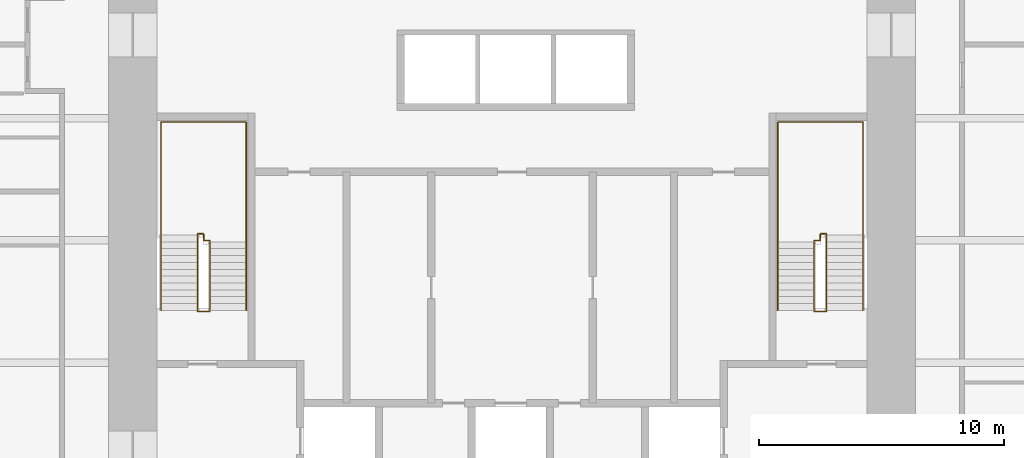
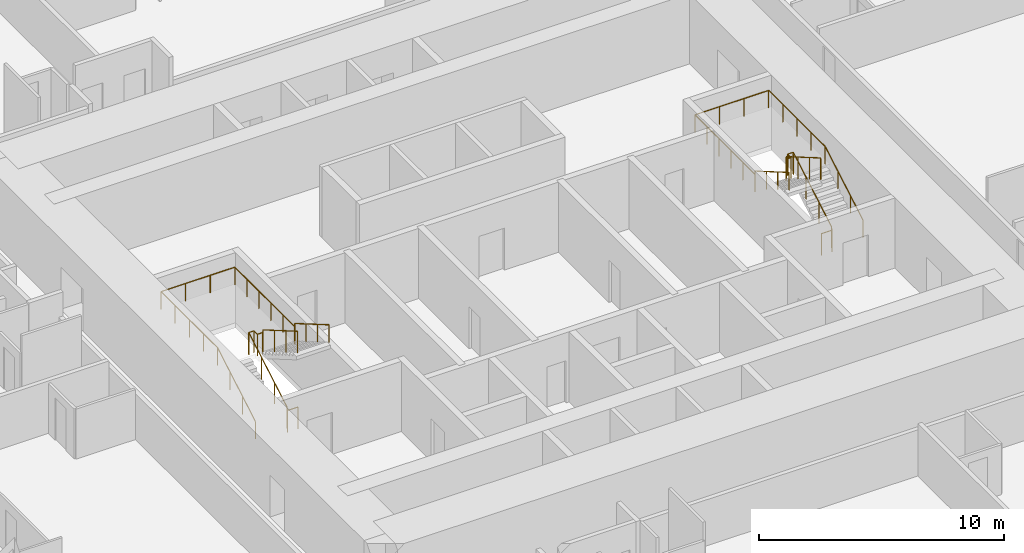
# One storey, part 17 of 17: 4 railings.
"""IFC4 building model written with IfcOpenShell, lengths in metres."""

from ifc_helpers import new_model, si_unit, direction, frame, origin, origin_2d, place, context, subcontext, project, spatial, circle, extrude, material, type_object, element, save


model = new_model("IFC4")

# Units and contexts
model_context = context("Model", 3, precision=1e-05, world=origin(), true_north=direction((0.0, 1.0)))
body_context = subcontext(model_context, "Body", "Model", "MODEL_VIEW")
ifc_project = project(units=[si_unit("LENGTHUNIT", "METRE"), si_unit("AREAUNIT", "SQUARE_METRE"), si_unit("VOLUMEUNIT", "CUBIC_METRE"), si_unit("PLANEANGLEUNIT", "RADIAN"), si_unit("MASSUNIT", "GRAM", prefix="KILO")], contexts=[model_context])

# Site, building, storey
site_placement = place(None, origin())
site = spatial("IfcSite", under=ifc_project, at=site_placement, CompositionType="ELEMENT")
building_placement = place(site_placement, origin())
building = spatial("IfcBuilding", under=site, at=building_placement, Name="Khuree Lantern Residences", CompositionType="ELEMENT")
storey_placement = place(building_placement, frame((0.0, 0.0, 92.25)))
storey = spatial("IfcBuildingStorey", under=building, at=storey_placement, Name="L23", CompositionType="ELEMENT", Elevation=92.25)

# Railings
ifc_material = material(Name="Steel S355", Category="steel")
railing_type_1 = type_object("IfcRailingType", Name="STAIR GUARD G1 1100", PredefinedType="GUARDRAIL", material=ifc_material)
railing_1_placement = place(storey_placement, frame((-12.35009765625, -2.909912109375, 0.0)))
element("IfcRailing", 1, at=railing_1_placement, inside=storey, type_object=railing_type_1, Name="Stair ST1 guard", PredefinedType="GUARDRAIL", context=body_context, shape_type="SweptSolid", body=[
    extrude(circle(Radius=0.02392578125, at=origin_2d()), frame((0.0, 0.0, 1.076171875), z_axis=(-1.0, 0.0, 0.0), x_axis=(0.0, -1.0, 0.0)), (0.0, 0.0, 1.0), 0.5),
    extrude(circle(Radius=0.02392578125, at=origin_2d()), frame((-0.5, 0.0, 1.076171875), z_axis=(0.0, 0.292073035251, 0.95639601739), x_axis=(-1.0, 0.0, 0.0)), (0.0, 0.0, 1.0), 0.17041015625),
    extrude(circle(Radius=0.02392578125, at=origin_2d()), frame((-0.5, 0.0498046875, 1.2392578125), z_axis=(0.0, 0.864176135923, 0.503189433615), x_axis=(-1.0, 0.0, 0.0)), (0.0, 0.0, 1.0), 3.564208984375),
    extrude(circle(Radius=0.02392578125, at=origin_2d()), frame((-0.5, 3.1298828125, 3.03271484375), z_axis=(0.0, 1.0, 0.0), x_axis=(-1.0, 0.0, 0.0)), (0.0, 0.0, 1.0), 0.050048828125),
    extrude(circle(Radius=0.02392578125, at=origin_2d()), frame((-0.5, 3.179931640625, 3.03271484375), z_axis=(1.0, 0.0, 0.0), x_axis=(0.0, 1.0, 0.0)), (0.0, 0.0, 1.0), 0.25),
    extrude(circle(Radius=0.02392578125, at=origin_2d()), frame((-0.25, 3.179931640625, 3.03271484375), z_axis=(0.0, -1.0, 0.0), x_axis=(1.0, 0.0, 0.0)), (0.0, 0.0, 1.0), 0.280029296875),
    extrude(circle(Radius=0.02392578125, at=origin_2d()), frame((-0.25, 2.89990234375, 3.03271484375), z_axis=(1.0, 0.0, 0.0), x_axis=(0.0, 1.0, 0.0)), (0.0, 0.0, 1.0), 0.25),
    extrude(circle(Radius=0.02392578125, at=origin_2d()), frame((0.0, 2.89990234375, 3.03271484375), z_axis=(0.0, -0.293381807449, 0.955995353053), x_axis=(1.0, 0.0, 0.0)), (0.0, 0.0, 1.0), 0.170654296875),
    extrude(circle(Radius=0.02392578125, at=origin_2d()), frame((0.0, 2.849853515625, 3.19580078125), z_axis=(0.0, -0.864180358799, 0.503182181189), x_axis=(1.0, 0.0, 0.0)), (0.0, 0.0, 1.0), 3.240234375),
    extrude(circle(Radius=0.02099609375, at=origin_2d()), origin(), (0.0, 0.0, 1.0), 1.052001953125),
    extrude(circle(Radius=0.02099609375, at=origin_2d()), frame((-0.5, 0.0, 0.0)), (0.0, 0.0, 1.0), 1.052001953125),
    extrude(circle(Radius=0.02099609375, at=origin_2d()), frame((-0.5, 0.0498046875, 0.1630859375)), (0.0, 0.0, 1.0), 1.052001953125),
    extrude(circle(Radius=0.02099609375, at=origin_2d()), frame((-0.5, 1.076416015625, 0.760986328125)), (0.0, 0.0, 1.0), 1.052001953125),
    extrude(circle(Radius=0.02099609375, at=origin_2d()), frame((-0.5, 2.103271484375, 1.358642578125)), (0.0, 0.0, 1.0), 1.052001953125),
    extrude(circle(Radius=0.02099609375, at=origin_2d()), frame((-0.5, 3.1298828125, 1.95654296875)), (0.0, 0.0, 1.0), 1.052001953125),
    extrude(circle(Radius=0.02099609375, at=origin_2d()), frame((-0.5, 3.179931640625, 1.95654296875)), (0.0, 0.0, 1.0), 1.052001953125),
    extrude(circle(Radius=0.02099609375, at=origin_2d()), frame((-0.25, 3.179931640625, 1.95654296875)), (0.0, 0.0, 1.0), 1.052001953125),
    extrude(circle(Radius=0.02099609375, at=origin_2d()), frame((-0.25, 2.89990234375, 1.95654296875)), (0.0, 0.0, 1.0), 1.052001953125),
    extrude(circle(Radius=0.02099609375, at=origin_2d()), frame((0.0, 2.89990234375, 1.95654296875)), (0.0, 0.0, 1.0), 1.052001953125),
    extrude(circle(Radius=0.02099609375, at=origin_2d()), frame((0.0, 2.849853515625, 2.11962890625)), (0.0, 0.0, 1.0), 1.052001953125),
    extrude(circle(Radius=0.02099609375, at=origin_2d()), frame((0.0, 1.91650390625, 2.6630859375)), (0.0, 0.0, 1.0), 1.052001953125),
    extrude(circle(Radius=0.02099609375, at=origin_2d()), frame((0.0, 0.983154296875, 3.20654296875)), (0.0, 0.0, 1.0), 1.052001953125),
    extrude(circle(Radius=0.02099609375, at=origin_2d()), frame((0.0, 0.0498046875, 3.75)), (0.0, 0.0, 1.0), 1.052001953125),
])
railing_2_placement = place(storey_placement, frame((12.35009765625, -2.909912109375, 0.0)))
element("IfcRailing", 2, at=railing_2_placement, inside=storey, type_object=railing_type_1, Name="Stair ST2 guard", PredefinedType="GUARDRAIL", context=body_context, shape_type="SweptSolid", body=[
    extrude(circle(Radius=0.02392578125, at=origin_2d()), frame((0.0, 0.0, 1.076171875), z_axis=(1.0, 0.0, 0.0), x_axis=(0.0, 1.0, 0.0)), (0.0, 0.0, 1.0), 0.5),
    extrude(circle(Radius=0.02392578125, at=origin_2d()), frame((0.5, 0.0, 1.076171875), z_axis=(0.0, 0.292073035251, 0.95639601739), x_axis=(-1.0, 0.0, 0.0)), (0.0, 0.0, 1.0), 0.17041015625),
    extrude(circle(Radius=0.02392578125, at=origin_2d()), frame((0.5, 0.0498046875, 1.2392578125), z_axis=(0.0, 0.864176135923, 0.503189433615), x_axis=(-1.0, 0.0, 0.0)), (0.0, 0.0, 1.0), 3.564208984375),
    extrude(circle(Radius=0.02392578125, at=origin_2d()), frame((0.5, 3.1298828125, 3.03271484375), z_axis=(0.0, 1.0, 0.0), x_axis=(-1.0, 0.0, 0.0)), (0.0, 0.0, 1.0), 0.050048828125),
    extrude(circle(Radius=0.02392578125, at=origin_2d()), frame((0.5, 3.179931640625, 3.03271484375), z_axis=(-1.0, 0.0, 0.0), x_axis=(0.0, -1.0, 0.0)), (0.0, 0.0, 1.0), 0.25),
    extrude(circle(Radius=0.02392578125, at=origin_2d()), frame((0.25, 3.179931640625, 3.03271484375), z_axis=(0.0, -1.0, 0.0), x_axis=(1.0, 0.0, 0.0)), (0.0, 0.0, 1.0), 0.280029296875),
    extrude(circle(Radius=0.02392578125, at=origin_2d()), frame((0.25, 2.89990234375, 3.03271484375), z_axis=(-1.0, 0.0, 0.0), x_axis=(0.0, -1.0, 0.0)), (0.0, 0.0, 1.0), 0.25),
    extrude(circle(Radius=0.02392578125, at=origin_2d()), frame((0.0, 2.89990234375, 3.03271484375), z_axis=(0.0, -0.293381807449, 0.955995353053), x_axis=(1.0, 0.0, 0.0)), (0.0, 0.0, 1.0), 0.170654296875),
    extrude(circle(Radius=0.02392578125, at=origin_2d()), frame((0.0, 2.849853515625, 3.19580078125), z_axis=(0.0, -0.864180358799, 0.503182181189), x_axis=(1.0, 0.0, 0.0)), (0.0, 0.0, 1.0), 3.240234375),
    extrude(circle(Radius=0.02099609375, at=origin_2d()), origin(), (0.0, 0.0, 1.0), 1.052001953125),
    extrude(circle(Radius=0.02099609375, at=origin_2d()), frame((0.5, 0.0, 0.0)), (0.0, 0.0, 1.0), 1.052001953125),
    extrude(circle(Radius=0.02099609375, at=origin_2d()), frame((0.5, 0.0498046875, 0.1630859375)), (0.0, 0.0, 1.0), 1.052001953125),
    extrude(circle(Radius=0.02099609375, at=origin_2d()), frame((0.5, 1.076416015625, 0.760986328125)), (0.0, 0.0, 1.0), 1.052001953125),
    extrude(circle(Radius=0.02099609375, at=origin_2d()), frame((0.5, 2.103271484375, 1.358642578125)), (0.0, 0.0, 1.0), 1.052001953125),
    extrude(circle(Radius=0.02099609375, at=origin_2d()), frame((0.5, 3.1298828125, 1.95654296875)), (0.0, 0.0, 1.0), 1.052001953125),
    extrude(circle(Radius=0.02099609375, at=origin_2d()), frame((0.5, 3.179931640625, 1.95654296875)), (0.0, 0.0, 1.0), 1.052001953125),
    extrude(circle(Radius=0.02099609375, at=origin_2d()), frame((0.25, 3.179931640625, 1.95654296875)), (0.0, 0.0, 1.0), 1.052001953125),
    extrude(circle(Radius=0.02099609375, at=origin_2d()), frame((0.25, 2.89990234375, 1.95654296875)), (0.0, 0.0, 1.0), 1.052001953125),
    extrude(circle(Radius=0.02099609375, at=origin_2d()), frame((0.0, 2.89990234375, 1.95654296875)), (0.0, 0.0, 1.0), 1.052001953125),
    extrude(circle(Radius=0.02099609375, at=origin_2d()), frame((0.0, 2.849853515625, 2.11962890625)), (0.0, 0.0, 1.0), 1.052001953125),
    extrude(circle(Radius=0.02099609375, at=origin_2d()), frame((0.0, 1.91650390625, 2.6630859375)), (0.0, 0.0, 1.0), 1.052001953125),
    extrude(circle(Radius=0.02099609375, at=origin_2d()), frame((0.0, 0.983154296875, 3.20654296875)), (0.0, 0.0, 1.0), 1.052001953125),
    extrude(circle(Radius=0.02099609375, at=origin_2d()), frame((0.0, 0.0498046875, 3.75)), (0.0, 0.0, 1.0), 1.052001953125),
])
railing_type_2 = type_object("IfcRailingType", Name="STAIR HANDRAIL H1 900", PredefinedType="HANDRAIL", material=ifc_material)
railing_3_placement = place(storey_placement, frame((-14.340087890625, -2.860107421875, 0.1630859375)))
element("IfcRailing", 3, at=railing_3_placement, inside=storey, type_object=railing_type_2, Name="Stair ST1 handrail", PredefinedType="HANDRAIL", context=body_context, shape_type="SweptSolid", body=[
    extrude(circle(Radius=0.02392578125, at=origin_2d()), frame((0.0, 0.0, 0.8759765625), z_axis=(0.0, 0.864176135923, 0.503189433615), x_axis=(-1.0, 0.0, 0.0)), (0.0, 0.0, 1.0), 3.564208984375),
    extrude(circle(Radius=0.02392578125, at=origin_2d()), frame((0.0, 3.080078125, 2.66943359375), z_axis=(0.0, 1.0, 0.0), x_axis=(-1.0, 0.0, 0.0)), (0.0, 0.0, 1.0), 4.6201171875),
    extrude(circle(Radius=0.02392578125, at=origin_2d()), frame((0.0, 7.7001953125, 2.66943359375), z_axis=(1.0, 0.0, 0.0), x_axis=(0.0, 1.0, 0.0)), (0.0, 0.0, 1.0), 3.47998046875),
    extrude(circle(Radius=0.02392578125, at=origin_2d()), frame((3.47998046875, 7.7001953125, 2.66943359375), z_axis=(0.0, -1.0, 0.0), x_axis=(1.0, 0.0, 0.0)), (0.0, 0.0, 1.0), 4.900146484375),
    extrude(circle(Radius=0.02392578125, at=origin_2d()), frame((3.47998046875, 2.800048828125, 2.66943359375), z_axis=(0.0, 0.0, 1.0), x_axis=(1.0, 0.0, 0.0)), (0.0, 0.0, 1.0), 0.1630859375),
    extrude(circle(Radius=0.02392578125, at=origin_2d()), frame((3.47998046875, 2.800048828125, 2.83251953125), z_axis=(0.0, -0.864180358799, 0.503182181189), x_axis=(1.0, 0.0, 0.0)), (0.0, 0.0, 1.0), 3.240234375),
    extrude(circle(Radius=0.02099609375, at=origin_2d()), origin(), (0.0, 0.0, 1.0), 0.851806640625),
    extrude(circle(Radius=0.02099609375, at=origin_2d()), frame((0.0, 1.026611328125, 0.597900390625)), (0.0, 0.0, 1.0), 0.851806640625),
    extrude(circle(Radius=0.02099609375, at=origin_2d()), frame((0.0, 2.053466796875, 1.195556640625)), (0.0, 0.0, 1.0), 0.851806640625),
    extrude(circle(Radius=0.02099609375, at=origin_2d()), frame((0.0, 3.080078125, 1.79345703125)), (0.0, 0.0, 1.0), 0.851806640625),
    extrude(circle(Radius=0.02099609375, at=origin_2d()), frame((0.0, 4.235107421875, 1.79345703125)), (0.0, 0.0, 1.0), 0.851806640625),
    extrude(circle(Radius=0.02099609375, at=origin_2d()), frame((0.0, 5.39013671875, 1.79345703125)), (0.0, 0.0, 1.0), 0.851806640625),
    extrude(circle(Radius=0.02099609375, at=origin_2d()), frame((0.0, 6.545166015625, 1.79345703125)), (0.0, 0.0, 1.0), 0.851806640625),
    extrude(circle(Radius=0.02099609375, at=origin_2d()), frame((0.0, 7.7001953125, 1.79345703125)), (0.0, 0.0, 1.0), 0.851806640625),
    extrude(circle(Radius=0.02099609375, at=origin_2d()), frame((1.159912109375, 7.7001953125, 1.79345703125)), (0.0, 0.0, 1.0), 0.851806640625),
    extrude(circle(Radius=0.02099609375, at=origin_2d()), frame((2.320068359375, 7.7001953125, 1.79345703125)), (0.0, 0.0, 1.0), 0.851806640625),
    extrude(circle(Radius=0.02099609375, at=origin_2d()), frame((3.47998046875, 7.7001953125, 1.79345703125)), (0.0, 0.0, 1.0), 0.851806640625),
    extrude(circle(Radius=0.02099609375, at=origin_2d()), frame((3.47998046875, 6.72021484375, 1.79345703125)), (0.0, 0.0, 1.0), 0.851806640625),
    extrude(circle(Radius=0.02099609375, at=origin_2d()), frame((3.47998046875, 5.740234375, 1.79345703125)), (0.0, 0.0, 1.0), 0.851806640625),
    extrude(circle(Radius=0.02099609375, at=origin_2d()), frame((3.47998046875, 4.760009765625, 1.79345703125)), (0.0, 0.0, 1.0), 0.851806640625),
    extrude(circle(Radius=0.02099609375, at=origin_2d()), frame((3.47998046875, 3.780029296875, 1.79345703125)), (0.0, 0.0, 1.0), 0.851806640625),
    extrude(circle(Radius=0.02099609375, at=origin_2d()), frame((3.47998046875, 2.800048828125, 1.79345703125)), (0.0, 0.0, 1.0), 0.851806640625),
    extrude(circle(Radius=0.02099609375, at=origin_2d()), frame((3.47998046875, 2.800048828125, 1.95654296875)), (0.0, 0.0, 1.0), 0.851806640625),
    extrude(circle(Radius=0.02099609375, at=origin_2d()), frame((3.47998046875, 1.86669921875, 2.5)), (0.0, 0.0, 1.0), 0.851806640625),
    extrude(circle(Radius=0.02099609375, at=origin_2d()), frame((3.47998046875, 0.933349609375, 3.04345703125)), (0.0, 0.0, 1.0), 0.851806640625),
    extrude(circle(Radius=0.02099609375, at=origin_2d()), frame((3.47998046875, 0.0, 3.5869140625)), (0.0, 0.0, 1.0), 0.851806640625),
])
railing_4_placement = place(storey_placement, frame((14.340087890625, -2.860107421875, 0.1630859375)))
element("IfcRailing", 4, at=railing_4_placement, inside=storey, type_object=railing_type_2, Name="Stair ST2 handrail", PredefinedType="HANDRAIL", context=body_context, shape_type="SweptSolid", body=[
    extrude(circle(Radius=0.02392578125, at=origin_2d()), frame((0.0, 0.0, 0.8759765625), z_axis=(0.0, 0.864176135923, 0.503189433615), x_axis=(-1.0, 0.0, 0.0)), (0.0, 0.0, 1.0), 3.564208984375),
    extrude(circle(Radius=0.02392578125, at=origin_2d()), frame((0.0, 3.080078125, 2.66943359375), z_axis=(0.0, 1.0, 0.0), x_axis=(-1.0, 0.0, 0.0)), (0.0, 0.0, 1.0), 4.6201171875),
    extrude(circle(Radius=0.02392578125, at=origin_2d()), frame((0.0, 7.7001953125, 2.66943359375), z_axis=(-1.0, 0.0, 0.0), x_axis=(0.0, -1.0, 0.0)), (0.0, 0.0, 1.0), 3.47998046875),
    extrude(circle(Radius=0.02392578125, at=origin_2d()), frame((-3.47998046875, 7.7001953125, 2.66943359375), z_axis=(0.0, -1.0, 0.0), x_axis=(1.0, 0.0, 0.0)), (0.0, 0.0, 1.0), 4.900146484375),
    extrude(circle(Radius=0.02392578125, at=origin_2d()), frame((-3.47998046875, 2.800048828125, 2.66943359375), z_axis=(0.0, 0.0, 1.0), x_axis=(1.0, 0.0, 0.0)), (0.0, 0.0, 1.0), 0.1630859375),
    extrude(circle(Radius=0.02392578125, at=origin_2d()), frame((-3.47998046875, 2.800048828125, 2.83251953125), z_axis=(0.0, -0.864180358799, 0.503182181189), x_axis=(1.0, 0.0, 0.0)), (0.0, 0.0, 1.0), 3.240234375),
    extrude(circle(Radius=0.02099609375, at=origin_2d()), origin(), (0.0, 0.0, 1.0), 0.851806640625),
    extrude(circle(Radius=0.02099609375, at=origin_2d()), frame((0.0, 1.026611328125, 0.597900390625)), (0.0, 0.0, 1.0), 0.851806640625),
    extrude(circle(Radius=0.02099609375, at=origin_2d()), frame((0.0, 2.053466796875, 1.195556640625)), (0.0, 0.0, 1.0), 0.851806640625),
    extrude(circle(Radius=0.02099609375, at=origin_2d()), frame((0.0, 3.080078125, 1.79345703125)), (0.0, 0.0, 1.0), 0.851806640625),
    extrude(circle(Radius=0.02099609375, at=origin_2d()), frame((0.0, 4.235107421875, 1.79345703125)), (0.0, 0.0, 1.0), 0.851806640625),
    extrude(circle(Radius=0.02099609375, at=origin_2d()), frame((0.0, 5.39013671875, 1.79345703125)), (0.0, 0.0, 1.0), 0.851806640625),
    extrude(circle(Radius=0.02099609375, at=origin_2d()), frame((0.0, 6.545166015625, 1.79345703125)), (0.0, 0.0, 1.0), 0.851806640625),
    extrude(circle(Radius=0.02099609375, at=origin_2d()), frame((0.0, 7.7001953125, 1.79345703125)), (0.0, 0.0, 1.0), 0.851806640625),
    extrude(circle(Radius=0.02099609375, at=origin_2d()), frame((-1.159912109375, 7.7001953125, 1.79345703125)), (0.0, 0.0, 1.0), 0.851806640625),
    extrude(circle(Radius=0.02099609375, at=origin_2d()), frame((-2.320068359375, 7.7001953125, 1.79345703125)), (0.0, 0.0, 1.0), 0.851806640625),
    extrude(circle(Radius=0.02099609375, at=origin_2d()), frame((-3.47998046875, 7.7001953125, 1.79345703125)), (0.0, 0.0, 1.0), 0.851806640625),
    extrude(circle(Radius=0.02099609375, at=origin_2d()), frame((-3.47998046875, 6.72021484375, 1.79345703125)), (0.0, 0.0, 1.0), 0.851806640625),
    extrude(circle(Radius=0.02099609375, at=origin_2d()), frame((-3.47998046875, 5.740234375, 1.79345703125)), (0.0, 0.0, 1.0), 0.851806640625),
    extrude(circle(Radius=0.02099609375, at=origin_2d()), frame((-3.47998046875, 4.760009765625, 1.79345703125)), (0.0, 0.0, 1.0), 0.851806640625),
    extrude(circle(Radius=0.02099609375, at=origin_2d()), frame((-3.47998046875, 3.780029296875, 1.79345703125)), (0.0, 0.0, 1.0), 0.851806640625),
    extrude(circle(Radius=0.02099609375, at=origin_2d()), frame((-3.47998046875, 2.800048828125, 1.79345703125)), (0.0, 0.0, 1.0), 0.851806640625),
    extrude(circle(Radius=0.02099609375, at=origin_2d()), frame((-3.47998046875, 2.800048828125, 1.95654296875)), (0.0, 0.0, 1.0), 0.851806640625),
    extrude(circle(Radius=0.02099609375, at=origin_2d()), frame((-3.47998046875, 1.86669921875, 2.5)), (0.0, 0.0, 1.0), 0.851806640625),
    extrude(circle(Radius=0.02099609375, at=origin_2d()), frame((-3.47998046875, 0.933349609375, 3.04345703125)), (0.0, 0.0, 1.0), 0.851806640625),
    extrude(circle(Radius=0.02099609375, at=origin_2d()), frame((-3.47998046875, 0.0, 3.5869140625)), (0.0, 0.0, 1.0), 0.851806640625),
])

save(model, "model.ifc")
